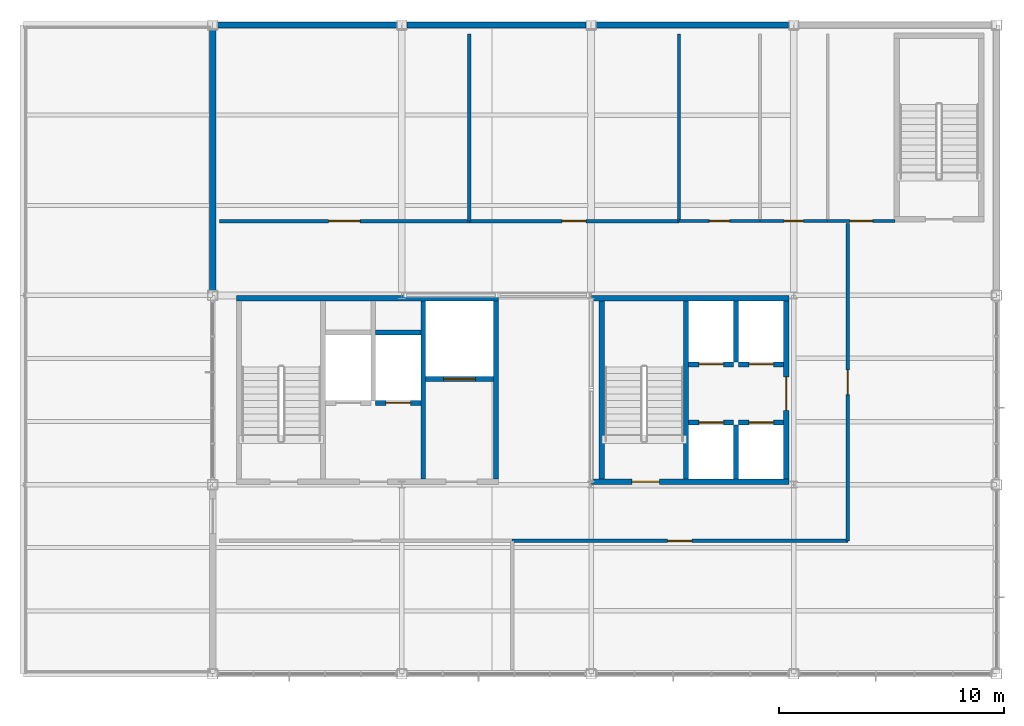
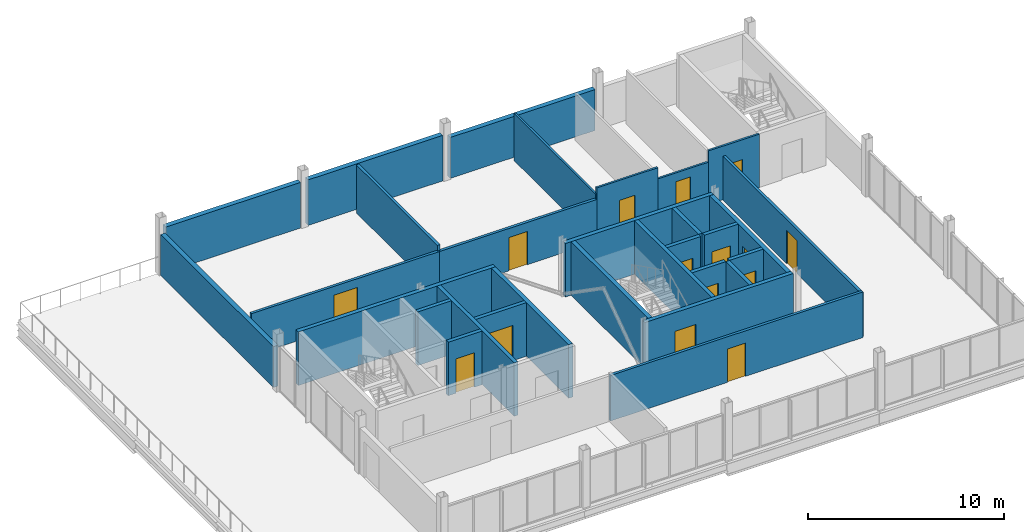
# One storey, part 11 of 14: 30 walls, 15 doors, 15 openings.
"""IFC4 building model written with IfcOpenShell, lengths in metres."""

from ifc_helpers import new_model, si_unit, direction, frame, frame_2d, origin, place, context, subcontext, project, spatial, rectangle, extrude, material, layer, layer_set, type_object, element, fill, save


model = new_model("IFC4")

# Units and contexts
model_context = context("Model", 3, precision=1e-05, world=origin(), true_north=direction((0.0, 1.0)))
body_context = subcontext(model_context, "Body", "Model", "MODEL_VIEW")
ifc_project = project(units=[si_unit("LENGTHUNIT", "METRE"), si_unit("AREAUNIT", "SQUARE_METRE"), si_unit("VOLUMEUNIT", "CUBIC_METRE"), si_unit("PLANEANGLEUNIT", "RADIAN"), si_unit("MASSUNIT", "GRAM", prefix="KILO")], contexts=[model_context])

# Site, building, storey
site_placement = place(None, origin())
site = spatial("IfcSite", under=ifc_project, at=site_placement, CompositionType="ELEMENT")
building_placement = place(site_placement, origin())
building = spatial("IfcBuilding", under=site, at=building_placement, Name="Yukiwa Park Conservatory and Herbarium", CompositionType="ELEMENT")
storey_placement = place(building_placement, frame((0.0, 0.0, 50.39990234375)))
storey = spatial("IfcBuildingStorey", under=building, at=storey_placement, Name="L13", CompositionType="ELEMENT", Elevation=50.39990234375)

# Wall
ifc_material_1 = material(Name="Concrete C40", Category="concrete")
ifc_layer_1 = layer(ifc_material_1, 0.219970703125)
ifc_layer_set_1 = layer_set([ifc_layer_1], Name="Concrete C40")
wall_type_1 = type_object("IfcWallType", Name="WL-CORE-RC220", PredefinedType="SHEAR", material=ifc_layer_set_1)
wall_1_placement = place(storey_placement, frame((142.550048828125, 95.050048828125, 0.0), z_axis=(0.0, 0.0, 1.0), x_axis=(0.0, 1.0, 0.0)))
element("IfcWall", 1, at=wall_1_placement, inside=storey, type_object=wall_type_1, Name="L13 core shear wall 748", PredefinedType="SHEAR", context=body_context, shape_type="SweptSolid", body=[
    extrude(rectangle(XDim=7.89990234375, YDim=0.219970703125, at=frame_2d((3.949951171875, 0.0))), origin(), (0.0, 0.0, 1.0), 3.34619140625),
])

# Wall, opening, door
wall_2_placement = place(storey_placement, frame((140.43994140625, 98.429931640625, 0.0), z_axis=(0.0, 0.0, 1.0), x_axis=(1.0, 0.0, 0.0)))
wall_2 = element("IfcWall", 2, at=wall_2_placement, inside=storey, type_object=wall_type_1, Name="L13 core shear wall 751", PredefinedType="SHEAR", context=body_context, shape_type="SweptSolid", body=[
    extrude(rectangle(XDim=2.0, YDim=0.219970703125, at=frame_2d((1.0, 0.0))), origin(), (0.0, 0.0, 1.0), 3.34619140625),
])
opening_1_placement = place(wall_2_placement, frame((0.449951171875, 0.0, 0.0)))
opening_1 = element("IfcOpeningElement", 3, at=opening_1_placement, cuts=wall_2, Name="Opening LD-01", PredefinedType="OPENING", context=body_context, shape_type="SweptSolid", body=[
    extrude(rectangle(XDim=1.10009765625, YDim=2.14990234375, at=frame_2d((0.550048828125, 1.074951171875))), frame((0.0, 0.1201171875, 0.0), z_axis=(0.0, -1.0, 0.0), x_axis=(1.0, 0.0, 0.0)), (0.0, 0.0, 1.0), 0.239990234375),
])
ifc_material_2 = material(Name="Steel Q235B", Category="steel")
door_type_1 = type_object("IfcDoorType", Name="DR-LIFT-LD1100", OperationType="SLIDING_TO_LEFT", PredefinedType="DOOR", material=ifc_material_2)
door_1_placement = place(opening_1_placement, origin())
door_1 = element("IfcDoor", 4, at=door_1_placement, inside=storey, type_object=door_type_1, Name="L13 Firefighting Lift FL2 sliding landing door", OperationType="SLIDING_TO_LEFT", OverallHeight=2.14990234375, OverallWidth=1.10009765625, PredefinedType="DOOR", context=body_context, shape_type="SweptSolid", body=[
    extrude(rectangle(XDim=1.10009765625, YDim=2.14990234375, at=frame_2d((0.550048828125, 1.074951171875))), frame((0.0, 0.02490234375, 0.0), z_axis=(0.0, -1.0, 0.0), x_axis=(1.0, 0.0, 0.0)), (0.0, 0.0, 1.0), 0.050048828125),
])
fill(opening_1, door_1)

# Wall
wall_3_placement = place(storey_placement, frame((140.43994140625, 101.550048828125, 0.0), z_axis=(0.0, 0.0, 1.0), x_axis=(1.0, 0.0, 0.0)))
element("IfcWall", 5, at=wall_3_placement, inside=storey, type_object=wall_type_1, Name="L13 core shear wall 753", PredefinedType="SHEAR", context=body_context, shape_type="SweptSolid", body=[
    extrude(rectangle(XDim=2.0, YDim=0.219970703125, at=frame_2d((1.0, 0.0))), origin(), (0.0, 0.0, 1.0), 3.34619140625),
])

# Wall, opening, door
wall_4_placement = place(storey_placement, frame((142.659912109375, 99.489990234375, 0.0), z_axis=(0.0, 0.0, 1.0), x_axis=(1.0, 0.0, 0.0)))
wall_4 = element("IfcWall", 6, at=wall_4_placement, inside=storey, type_object=wall_type_1, Name="L13 core shear wall 754", PredefinedType="SHEAR", context=body_context, shape_type="SweptSolid", body=[
    extrude(rectangle(XDim=3.0, YDim=0.219970703125, at=frame_2d((1.5, 0.0))), origin(), (0.0, 0.0, 1.0), 3.34619140625),
])
opening_2_placement = place(wall_4_placement, frame((0.800048828125, 0.0, 0.0)))
opening_2 = element("IfcOpeningElement", 7, at=opening_2_placement, cuts=wall_4, Name="Opening LD-02", PredefinedType="OPENING", context=body_context, shape_type="SweptSolid", body=[
    extrude(rectangle(XDim=1.39990234375, YDim=2.199951171875, at=frame_2d((0.699951171875, 1.10009765625))), frame((0.0, 0.1201171875, 0.0), z_axis=(0.0, -1.0, 0.0), x_axis=(1.0, 0.0, 0.0)), (0.0, 0.0, 1.0), 0.239990234375),
])
ifc_material_3 = material(Name="Steel Q235B", Category="steel")
door_type_2 = type_object("IfcDoorType", Name="DR-LIFT-LD1400", OperationType="SLIDING_TO_LEFT", PredefinedType="DOOR", material=ifc_material_3)
door_2_placement = place(opening_2_placement, origin())
door_2 = element("IfcDoor", 8, at=door_2_placement, inside=storey, type_object=door_type_2, Name="L13 Goods Lift GL1 sliding landing door", OperationType="SLIDING_TO_LEFT", OverallHeight=2.199951171875, OverallWidth=1.39990234375, PredefinedType="DOOR", context=body_context, shape_type="SweptSolid", body=[
    extrude(rectangle(XDim=1.39990234375, YDim=2.199951171875, at=frame_2d((0.699951171875, 1.10009765625))), frame((0.0, 0.02490234375, 0.0), z_axis=(0.0, -1.0, 0.0), x_axis=(1.0, 0.0, 0.0)), (0.0, 0.0, 1.0), 0.050048828125),
])
fill(opening_2, door_2)

# Walls
wall_5_placement = place(storey_placement, frame((154.219970703125, 95.050048828125, 0.0), z_axis=(0.0, 0.0, 1.0), x_axis=(0.0, 1.0, 0.0)))
element("IfcWall", 9, at=wall_5_placement, inside=storey, type_object=wall_type_1, Name="L13 core shear wall 758", PredefinedType="SHEAR", context=body_context, shape_type="SweptSolid", body=[
    extrude(rectangle(XDim=7.89990234375, YDim=0.219970703125, at=frame_2d((3.949951171875, 0.0))), origin(), (0.0, 0.0, 1.0), 3.34619140625),
])
wall_6_placement = place(storey_placement, frame((156.43994140625, 100.25, 0.0), z_axis=(0.0, 0.0, 1.0), x_axis=(0.0, 1.0, 0.0)))
element("IfcWall", 10, at=wall_6_placement, inside=storey, type_object=wall_type_1, Name="L13 core shear wall 760", PredefinedType="SHEAR", context=body_context, shape_type="SweptSolid", body=[
    extrude(rectangle(XDim=2.699951171875, YDim=0.219970703125, at=frame_2d((1.35009765625, 0.0))), origin(), (0.0, 0.0, 1.0), 3.34619140625),
])

# Wall, opening, door
wall_7_placement = place(storey_placement, frame((154.330078125, 100.139892578125, 0.0), z_axis=(0.0, 0.0, 1.0), x_axis=(1.0, 0.0, 0.0)))
wall_7 = element("IfcWall", 11, at=wall_7_placement, inside=storey, type_object=wall_type_1, Name="L13 core shear wall 761", PredefinedType="SHEAR", context=body_context, shape_type="SweptSolid", body=[
    extrude(rectangle(XDim=2.0, YDim=0.219970703125, at=frame_2d((1.0, 0.0))), origin(), (0.0, 0.0, 1.0), 3.34619140625),
])
opening_3_placement = place(wall_7_placement, frame((0.449951171875, 0.0, 0.0)))
opening_3 = element("IfcOpeningElement", 12, at=opening_3_placement, cuts=wall_7, Name="Opening LD-01", PredefinedType="OPENING", context=body_context, shape_type="SweptSolid", body=[
    extrude(rectangle(XDim=1.10009765625, YDim=2.14990234375, at=frame_2d((0.550048828125, 1.074951171875))), frame((0.0, 0.1201171875, 0.0), z_axis=(0.0, -1.0, 0.0), x_axis=(1.0, 0.0, 0.0)), (0.0, 0.0, 1.0), 0.239990234375),
])
door_3_placement = place(opening_3_placement, origin())
door_3 = element("IfcDoor", 13, at=door_3_placement, inside=storey, type_object=door_type_1, Name="L13 Passenger Lift LP1 sliding landing door", OperationType="SLIDING_TO_LEFT", OverallHeight=2.14990234375, OverallWidth=1.10009765625, PredefinedType="DOOR", context=body_context, shape_type="SweptSolid", body=[
    extrude(rectangle(XDim=1.10009765625, YDim=2.14990234375, at=frame_2d((0.550048828125, 1.074951171875))), frame((0.0, 0.02490234375, 0.0), z_axis=(0.0, -1.0, 0.0), x_axis=(1.0, 0.0, 0.0)), (0.0, 0.0, 1.0), 0.050048828125),
])
fill(opening_3, door_3)

wall_8_placement = place(storey_placement, frame((156.550048828125, 100.139892578125, 0.0), z_axis=(0.0, 0.0, 1.0), x_axis=(1.0, 0.0, 0.0)))
wall_8 = element("IfcWall", 14, at=wall_8_placement, inside=storey, type_object=wall_type_1, Name="L13 core shear wall 762", PredefinedType="SHEAR", context=body_context, shape_type="SweptSolid", body=[
    extrude(rectangle(XDim=2.0, YDim=0.219970703125, at=frame_2d((1.0, 0.0))), origin(), (0.0, 0.0, 1.0), 3.34619140625),
])
opening_4_placement = place(wall_8_placement, frame((0.449951171875, 0.0, 0.0)))
opening_4 = element("IfcOpeningElement", 15, at=opening_4_placement, cuts=wall_8, Name="Opening LD-01", PredefinedType="OPENING", context=body_context, shape_type="SweptSolid", body=[
    extrude(rectangle(XDim=1.10009765625, YDim=2.14990234375, at=frame_2d((0.550048828125, 1.074951171875))), frame((0.0, 0.1201171875, 0.0), z_axis=(0.0, -1.0, 0.0), x_axis=(1.0, 0.0, 0.0)), (0.0, 0.0, 1.0), 0.239990234375),
])
door_4_placement = place(opening_4_placement, origin())
door_4 = element("IfcDoor", 16, at=door_4_placement, inside=storey, type_object=door_type_1, Name="L13 Passenger Lift LP2 sliding landing door", OperationType="SLIDING_TO_LEFT", OverallHeight=2.14990234375, OverallWidth=1.10009765625, PredefinedType="DOOR", context=body_context, shape_type="SweptSolid", body=[
    extrude(rectangle(XDim=1.10009765625, YDim=2.14990234375, at=frame_2d((0.550048828125, 1.074951171875))), frame((0.0, 0.02490234375, 0.0), z_axis=(0.0, -1.0, 0.0), x_axis=(1.0, 0.0, 0.0)), (0.0, 0.0, 1.0), 0.050048828125),
])
fill(opening_4, door_4)

# Wall
wall_9_placement = place(storey_placement, frame((156.43994140625, 95.050048828125, 0.0), z_axis=(0.0, 0.0, 1.0), x_axis=(0.0, 1.0, 0.0)))
element("IfcWall", 17, at=wall_9_placement, inside=storey, type_object=wall_type_1, Name="L13 core shear wall 763", PredefinedType="SHEAR", context=body_context, shape_type="SweptSolid", body=[
    extrude(rectangle(XDim=2.39990234375, YDim=0.219970703125, at=frame_2d((1.199951171875, 0.0))), origin(), (0.0, 0.0, 1.0), 3.34619140625),
])

# Wall, opening, door
wall_10_placement = place(storey_placement, frame((154.330078125, 97.56005859375, 0.0), z_axis=(0.0, 0.0, 1.0), x_axis=(1.0, 0.0, 0.0)))
wall_10 = element("IfcWall", 18, at=wall_10_placement, inside=storey, type_object=wall_type_1, Name="L13 core shear wall 764", PredefinedType="SHEAR", context=body_context, shape_type="SweptSolid", body=[
    extrude(rectangle(XDim=2.0, YDim=0.219970703125, at=frame_2d((1.0, 0.0))), origin(), (0.0, 0.0, 1.0), 3.34619140625),
])
opening_5_placement = place(wall_10_placement, frame((0.449951171875, 0.0, 0.0)))
opening_5 = element("IfcOpeningElement", 19, at=opening_5_placement, cuts=wall_10, Name="Opening LD-01", PredefinedType="OPENING", context=body_context, shape_type="SweptSolid", body=[
    extrude(rectangle(XDim=1.10009765625, YDim=2.14990234375, at=frame_2d((0.550048828125, 1.074951171875))), frame((0.0, 0.1201171875, 0.0), z_axis=(0.0, -1.0, 0.0), x_axis=(1.0, 0.0, 0.0)), (0.0, 0.0, 1.0), 0.239990234375),
])
door_5_placement = place(opening_5_placement, origin())
door_5 = element("IfcDoor", 20, at=door_5_placement, inside=storey, type_object=door_type_1, Name="L13 Passenger Lift LP3 sliding landing door", OperationType="SLIDING_TO_LEFT", OverallHeight=2.14990234375, OverallWidth=1.10009765625, PredefinedType="DOOR", context=body_context, shape_type="SweptSolid", body=[
    extrude(rectangle(XDim=1.10009765625, YDim=2.14990234375, at=frame_2d((0.550048828125, 1.074951171875))), frame((0.0, 0.02490234375, 0.0), z_axis=(0.0, -1.0, 0.0), x_axis=(1.0, 0.0, 0.0)), (0.0, 0.0, 1.0), 0.050048828125),
])
fill(opening_5, door_5)

wall_11_placement = place(storey_placement, frame((156.550048828125, 97.56005859375, 0.0), z_axis=(0.0, 0.0, 1.0), x_axis=(1.0, 0.0, 0.0)))
wall_11 = element("IfcWall", 21, at=wall_11_placement, inside=storey, type_object=wall_type_1, Name="L13 core shear wall 765", PredefinedType="SHEAR", context=body_context, shape_type="SweptSolid", body=[
    extrude(rectangle(XDim=2.0, YDim=0.219970703125, at=frame_2d((1.0, 0.0))), origin(), (0.0, 0.0, 1.0), 3.34619140625),
])
opening_6_placement = place(wall_11_placement, frame((0.449951171875, 0.0, 0.0)))
opening_6 = element("IfcOpeningElement", 22, at=opening_6_placement, cuts=wall_11, Name="Opening LD-01", PredefinedType="OPENING", context=body_context, shape_type="SweptSolid", body=[
    extrude(rectangle(XDim=1.10009765625, YDim=2.14990234375, at=frame_2d((0.550048828125, 1.074951171875))), frame((0.0, 0.1201171875, 0.0), z_axis=(0.0, -1.0, 0.0), x_axis=(1.0, 0.0, 0.0)), (0.0, 0.0, 1.0), 0.239990234375),
])
door_6_placement = place(opening_6_placement, origin())
door_6 = element("IfcDoor", 23, at=door_6_placement, inside=storey, type_object=door_type_1, Name="L13 Passenger Lift LP4 sliding landing door", OperationType="SLIDING_TO_LEFT", OverallHeight=2.14990234375, OverallWidth=1.10009765625, PredefinedType="DOOR", context=body_context, shape_type="SweptSolid", body=[
    extrude(rectangle(XDim=1.10009765625, YDim=2.14990234375, at=frame_2d((0.550048828125, 1.074951171875))), frame((0.0, 0.02490234375, 0.0), z_axis=(0.0, -1.0, 0.0), x_axis=(1.0, 0.0, 0.0)), (0.0, 0.0, 1.0), 0.050048828125),
])
fill(opening_6, door_6)

# Walls
ifc_material_4 = material(Name="Concrete C50", Category="concrete")
ifc_layer_2 = layer(ifc_material_4, 0.239990234375)
ifc_layer_set_2 = layer_set([ifc_layer_2], Name="Concrete C50")
wall_type_2 = type_object("IfcWallType", Name="WL-CORE-RC240", PredefinedType="SHEAR", material=ifc_layer_set_2)
wall_12_placement = place(storey_placement, frame((134.25, 103.070068359375, 0.0), z_axis=(0.0, 0.0, 1.0), x_axis=(1.0, 0.0, 0.0)))
element("IfcWall", 24, at=wall_12_placement, inside=storey, type_object=wall_type_2, Name="L13 core shear wall 744", PredefinedType="SHEAR", context=body_context, shape_type="SweptSolid", body=[
    extrude(rectangle(XDim=11.64990234375, YDim=0.239990234375, at=frame_2d((5.824951171875, 0.0))), origin(), (0.0, 0.0, 1.0), 3.34619140625),
])
wall_13_placement = place(storey_placement, frame((145.780029296875, 95.050048828125, 0.0), z_axis=(0.0, 0.0, 1.0), x_axis=(0.0, 1.0, 0.0)))
element("IfcWall", 25, at=wall_13_placement, inside=storey, type_object=wall_type_2, Name="L13 core shear wall 749", PredefinedType="SHEAR", context=body_context, shape_type="SweptSolid", body=[
    extrude(rectangle(XDim=7.89990234375, YDim=0.239990234375, at=frame_2d((3.949951171875, 0.0))), origin(), (0.0, 0.0, 1.0), 3.34619140625),
])

# Wall, opening, door
wall_14_placement = place(storey_placement, frame((150.02001953125, 94.929931640625, 0.0), z_axis=(0.0, 0.0, 1.0), x_axis=(1.0, 0.0, 0.0)))
wall_14 = element("IfcWall", 26, at=wall_14_placement, inside=storey, type_object=wall_type_2, Name="L13 core shear wall 755", PredefinedType="SHEAR", context=body_context, shape_type="SweptSolid", body=[
    extrude(rectangle(XDim=8.77001953125, YDim=0.239990234375, at=frame_2d((4.385009765625, 0.0))), origin(), (0.0, 0.0, 1.0), 3.34619140625),
])
opening_7_placement = place(wall_14_placement, frame((1.7900390625, 0.0, 0.0)))
opening_7 = element("IfcOpeningElement", 27, at=opening_7_placement, cuts=wall_14, Name="Opening SD-01", PredefinedType="OPENING", context=body_context, shape_type="SweptSolid", body=[
    extrude(rectangle(XDim=1.219970703125, YDim=2.179931640625, at=frame_2d((0.60986328125, 1.08984375))), frame((0.0, 0.1298828125, 0.0), z_axis=(0.0, -1.0, 0.0), x_axis=(1.0, 0.0, 0.0)), (0.0, 0.0, 1.0), 0.260009765625),
])
ifc_material_5 = material(Name="Steel Q235B", Category="steel")
door_type_3 = type_object("IfcDoorType", Name="DR-STAIR-FD90-1200", OperationType="SINGLE_SWING_LEFT", PredefinedType="DOOR", material=ifc_material_5)
door_7_placement = place(opening_7_placement, origin())
door_7 = element("IfcDoor", 28, at=door_7_placement, inside=storey, type_object=door_type_3, Name="L13 Stairwell ST-T2 fire door", OperationType="SINGLE_SWING_LEFT", OverallHeight=2.179931640625, OverallWidth=1.219970703125, PredefinedType="DOOR", context=body_context, shape_type="SweptSolid", body=[
    extrude(rectangle(XDim=1.219970703125, YDim=2.179931640625, at=frame_2d((0.60986328125, 1.08984375))), frame((0.0, 0.02490234375, 0.0), z_axis=(0.0, -1.0, 0.0), x_axis=(1.0, 0.0, 0.0)), (0.0, 0.0, 1.0), 0.050048828125),
])
fill(opening_7, door_7)

# Walls
wall_15_placement = place(storey_placement, frame((150.02001953125, 103.070068359375, 0.0), z_axis=(0.0, 0.0, 1.0), x_axis=(1.0, 0.0, 0.0)))
element("IfcWall", 29, at=wall_15_placement, inside=storey, type_object=wall_type_2, Name="L13 core shear wall 756", PredefinedType="SHEAR", context=body_context, shape_type="SweptSolid", body=[
    extrude(rectangle(XDim=8.77001953125, YDim=0.239990234375, at=frame_2d((4.385009765625, 0.0))), origin(), (0.0, 0.0, 1.0), 3.34619140625),
])
wall_16_placement = place(storey_placement, frame((150.47998046875, 95.050048828125, 0.0), z_axis=(0.0, 0.0, 1.0), x_axis=(0.0, 1.0, 0.0)))
element("IfcWall", 30, at=wall_16_placement, inside=storey, type_object=wall_type_2, Name="L13 core shear wall 757", PredefinedType="SHEAR", context=body_context, shape_type="SweptSolid", body=[
    extrude(rectangle(XDim=7.89990234375, YDim=0.239990234375, at=frame_2d((3.949951171875, 0.0))), origin(), (0.0, 0.0, 1.0), 3.34619140625),
])

# Wall, opening, door
wall_17_placement = place(storey_placement, frame((158.669921875, 95.050048828125, 0.0), z_axis=(0.0, 0.0, 1.0), x_axis=(0.0, 1.0, 0.0)))
wall_17 = element("IfcWall", 31, at=wall_17_placement, inside=storey, type_object=wall_type_2, Name="L13 core shear wall 759", PredefinedType="SHEAR", context=body_context, shape_type="SweptSolid", body=[
    extrude(rectangle(XDim=7.89990234375, YDim=0.239990234375, at=frame_2d((3.949951171875, 0.0))), origin(), (0.0, 0.0, 1.0), 3.34619140625),
])
opening_8_placement = place(wall_17_placement, frame((3.050048828125, 0.0, 0.0)))
opening_8 = element("IfcOpeningElement", 32, at=opening_8_placement, cuts=wall_17, Name="Opening FD-07", PredefinedType="OPENING", context=body_context, shape_type="SweptSolid", body=[
    extrude(rectangle(XDim=1.47998046875, YDim=2.219970703125, at=frame_2d((0.739990234375, 1.10986328125))), frame((0.0, 0.1298828125, 0.0), z_axis=(0.0, -1.0, 0.0), x_axis=(1.0, 0.0, 0.0)), (0.0, 0.0, 1.0), 0.260009765625),
])
ifc_material_6 = material(Name="Steel Q235B", Category="steel")
door_type_4 = type_object("IfcDoorType", Name="DR-FIRE-FD60-1500", OperationType="DOUBLE_DOOR_SINGLE_SWING", PredefinedType="DOOR", material=ifc_material_6)
door_8_placement = place(opening_8_placement, origin())
door_8 = element("IfcDoor", 33, at=door_8_placement, inside=storey, type_object=door_type_4, Name="L13 Tower Passenger Lift Lobby double fire door", OperationType="DOUBLE_DOOR_SINGLE_SWING", OverallHeight=2.219970703125, OverallWidth=1.47998046875, PredefinedType="DOOR", context=body_context, shape_type="SweptSolid", body=[
    extrude(rectangle(XDim=1.47998046875, YDim=2.219970703125, at=frame_2d((0.739990234375, 1.10986328125))), frame((0.0, 0.02490234375, 0.0), z_axis=(0.0, -1.0, 0.0), x_axis=(1.0, 0.0, 0.0)), (0.0, 0.0, 1.0), 0.050048828125),
])
fill(opening_8, door_8)

# Walls
ifc_material_7 = material(Name="Pale Granite Cladding", Category="masonry")
ifc_layer_3 = layer(ifc_material_7, 0.280029296875)
ifc_layer_set_3 = layer_set([ifc_layer_3], Name="Pale Granite Cladding")
wall_type_3 = type_object("IfcWallType", Name="WL-EXT-GRAN-280", PredefinedType="SOLIDWALL", material=ifc_layer_set_3)
wall_18_placement = place(storey_placement, frame((158.77490234375, 115.199951171875, 0.0), z_axis=(0.0, 0.0, 1.0), x_axis=(-1.0, 0.0, 0.0)))
element("IfcWall", 34, at=wall_18_placement, inside=storey, type_object=wall_type_3, Name="L13 exterior envelope wall 383", PredefinedType="SOLIDWALL", context=body_context, shape_type="SweptSolid", body=[
    extrude(rectangle(XDim=8.5498046875, YDim=0.280029296875, at=frame_2d((4.27490234375, 0.0))), origin(), (0.0, 0.0, 1.0), 2.55419921875),
])
for number, where, z_axis, x_axis, name in (
    (35, (149.77490234375, 115.199951171875, 0.0), (0.0, 0.0, 1.0), (-1.0, 0.0, 0.0), "L13 exterior envelope wall 384"),
    (36, (141.375, 115.199951171875, 0.0), (0.0, 0.0, 1.0), (-1.0, 0.0, 0.0), "L13 exterior envelope wall 385"),
):
    element("IfcWall", number, at=place(storey_placement, frame(where, z_axis=z_axis, x_axis=x_axis)), inside=storey, type_object=wall_type_3, Name=name, PredefinedType="SOLIDWALL", context=body_context, shape_type="SweptSolid", body=[
        extrude(rectangle(XDim=7.949951171875, YDim=0.280029296875, at=frame_2d((3.97509765625, 0.0))), origin(), (0.0, 0.0, 1.0), 2.84619140625),
    ])
wall_19_placement = place(storey_placement, frame((133.199951171875, 114.97509765625, 0.0), z_axis=(0.0, 0.0, 1.0), x_axis=(0.0, -1.0, 0.0)))
element("IfcWall", 37, at=wall_19_placement, inside=storey, type_object=wall_type_3, Name="L13 exterior envelope wall 386", PredefinedType="SOLIDWALL", context=body_context, shape_type="SweptSolid", body=[
    extrude(rectangle(XDim=11.550048828125, YDim=0.280029296875, at=frame_2d((5.77490234375, 0.0))), origin(), (0.0, 0.0, 1.0), 2.55419921875),
])

# Wall, opening, door
ifc_material_8 = material(Name="Gypsum Board Partition", Category="gypsum")
ifc_layer_4 = layer(ifc_material_8, 0.159912109375)
ifc_layer_set_4 = layer_set([ifc_layer_4], Name="Gypsum Board Partition")
wall_type_4 = type_object("IfcWallType", Name="WL-PART-GYP-160", PredefinedType="PARTITIONING", material=ifc_layer_set_4)
wall_20_placement = place(storey_placement, frame((161.39990234375, 92.300048828125, 0.0), z_axis=(0.0, 0.0, 1.0), x_axis=(0.0, 1.0, 0.0)))
wall_20 = element("IfcWall", 38, at=wall_20_placement, inside=storey, type_object=wall_type_4, Name="L13 interior partition wall 776", PredefinedType="PARTITIONING", context=body_context, shape_type="SweptSolid", body=[
    extrude(rectangle(XDim=14.099853515625, YDim=0.159912109375, at=frame_2d((7.0498046875, 0.0))), origin(), (0.0, 0.0, 1.0), 2.75),
])
opening_9_placement = place(wall_20_placement, frame((6.5, 0.0, 0.0)))
opening_9 = element("IfcOpeningElement", 39, at=opening_9_placement, cuts=wall_20, Name="Opening ID-11", PredefinedType="OPENING", context=body_context, shape_type="SweptSolid", body=[
    extrude(rectangle(XDim=1.080078125, YDim=2.080078125, at=frame_2d((0.5400390625, 1.0400390625))), frame((0.0, 0.08984375, 0.0), z_axis=(0.0, -1.0, 0.0), x_axis=(1.0, 0.0, 0.0)), (0.0, 0.0, 1.0), 0.179931640625),
])
ifc_material_9 = material(Name="Charred Larch Cladding", Category="wood")
door_type_5 = type_object("IfcDoorType", Name="DR-INT-1100", OperationType="SINGLE_SWING_RIGHT", PredefinedType="DOOR", material=ifc_material_9)
door_9_placement = place(opening_9_placement, origin())
door_9 = element("IfcDoor", 40, at=door_9_placement, inside=storey, type_object=door_type_5, Name="L13 L13 east room door", OperationType="SINGLE_SWING_RIGHT", OverallHeight=2.080078125, OverallWidth=1.080078125, PredefinedType="DOOR", context=body_context, shape_type="SweptSolid", body=[
    extrude(rectangle(XDim=1.080078125, YDim=2.080078125, at=frame_2d((0.5400390625, 1.0400390625))), frame((0.0, 0.02490234375, 0.0), z_axis=(0.0, -1.0, 0.0), x_axis=(1.0, 0.0, 0.0)), (0.0, 0.0, 1.0), 0.050048828125),
])
fill(opening_9, door_9)

wall_21_placement = place(storey_placement, frame((146.5, 92.300048828125, 0.0), z_axis=(0.0, 0.0, 1.0), x_axis=(1.0, 0.0, 0.0)))
wall_21 = element("IfcWall", 41, at=wall_21_placement, inside=storey, type_object=wall_type_4, Name="L13 interior partition wall 778", PredefinedType="PARTITIONING", context=body_context, shape_type="SweptSolid", body=[
    extrude(rectangle(XDim=14.89990234375, YDim=0.159912109375, at=frame_2d((7.449951171875, 0.0))), origin(), (0.0, 0.0, 1.0), 2.84619140625),
])
opening_10_placement = place(wall_21_placement, frame((6.89990234375, 0.0, 0.0)))
opening_10 = element("IfcOpeningElement", 42, at=opening_10_placement, cuts=wall_21, Name="Opening ID-11", PredefinedType="OPENING", context=body_context, shape_type="SweptSolid", body=[
    extrude(rectangle(XDim=1.080078125, YDim=2.080078125, at=frame_2d((0.5400390625, 1.0400390625))), frame((0.0, 0.08984375, 0.0), z_axis=(0.0, -1.0, 0.0), x_axis=(1.0, 0.0, 0.0)), (0.0, 0.0, 1.0), 0.179931640625),
])
door_10_placement = place(opening_10_placement, origin())
door_10 = element("IfcDoor", 43, at=door_10_placement, inside=storey, type_object=door_type_5, Name="L13 Seminar Room door", OperationType="SINGLE_SWING_RIGHT", OverallHeight=2.080078125, OverallWidth=1.080078125, PredefinedType="DOOR", context=body_context, shape_type="SweptSolid", body=[
    extrude(rectangle(XDim=1.080078125, YDim=2.080078125, at=frame_2d((0.5400390625, 1.0400390625))), frame((0.0, 0.02490234375, 0.0), z_axis=(0.0, -1.0, 0.0), x_axis=(1.0, 0.0, 0.0)), (0.0, 0.0, 1.0), 0.050048828125),
])
fill(opening_10, door_10)

wall_22_placement = place(storey_placement, frame((133.5, 106.5, 0.0), z_axis=(0.0, 0.0, 1.0), x_axis=(1.0, 0.0, 0.0)))
wall_22 = element("IfcWall", 44, at=wall_22_placement, inside=storey, type_object=wall_type_4, Name="L13 interior partition wall 780", PredefinedType="PARTITIONING", context=body_context, shape_type="SweptSolid", body=[
    extrude(rectangle(XDim=11.10009765625, YDim=0.159912109375, at=frame_2d((5.550048828125, 0.0))), origin(), (0.0, 0.0, 1.0), 2.64599609375),
])
opening_11_placement = place(wall_22_placement, frame((4.85009765625, 0.0, 0.0)))
opening_11 = element("IfcOpeningElement", 45, at=opening_11_placement, cuts=wall_22, Name="Opening GD-14", PredefinedType="OPENING", context=body_context, shape_type="SweptSolid", body=[
    extrude(rectangle(XDim=1.39990234375, YDim=2.10009765625, at=frame_2d((0.699951171875, 1.050048828125))), frame((0.0, 0.08984375, 0.0), z_axis=(0.0, -1.0, 0.0), x_axis=(1.0, 0.0, 0.0)), (0.0, 0.0, 1.0), 0.179931640625),
])
ifc_material_10 = material(Name="Laminated Tempered Safety Glass", Category="glass")
door_type_6 = type_object("IfcDoorType", Name="DR-GLZ-1400", OperationType="DOUBLE_DOOR_SINGLE_SWING", PredefinedType="DOOR", material=ifc_material_10)
door_11_placement = place(opening_11_placement, origin())
door_11 = element("IfcDoor", 46, at=door_11_placement, inside=storey, type_object=door_type_6, Name="L13 Periodicals Library door", OperationType="DOUBLE_DOOR_SINGLE_SWING", OverallHeight=2.10009765625, OverallWidth=1.39990234375, PredefinedType="DOOR", context=body_context, shape_type="SweptSolid", body=[
    extrude(rectangle(XDim=1.39990234375, YDim=2.10009765625, at=frame_2d((0.699951171875, 1.050048828125))), frame((0.0, 0.02490234375, 0.0), z_axis=(0.0, -1.0, 0.0), x_axis=(1.0, 0.0, 0.0)), (0.0, 0.0, 1.0), 0.050048828125),
])
fill(opening_11, door_11)

wall_23_placement = place(storey_placement, frame((144.60009765625, 106.5, 0.0), z_axis=(0.0, 0.0, 1.0), x_axis=(1.0, 0.0, 0.0)))
wall_23 = element("IfcWall", 47, at=wall_23_placement, inside=storey, type_object=wall_type_4, Name="L13 interior partition wall 781", PredefinedType="PARTITIONING", context=body_context, shape_type="SweptSolid", body=[
    extrude(rectangle(XDim=9.2998046875, YDim=0.159912109375, at=frame_2d((4.64990234375, 0.0))), origin(), (0.0, 0.0, 1.0), 2.64599609375),
])
opening_12_placement = place(wall_23_placement, frame((4.10009765625, 0.0, 0.0)))
opening_12 = element("IfcOpeningElement", 48, at=opening_12_placement, cuts=wall_23, Name="Opening ID-11", PredefinedType="OPENING", context=body_context, shape_type="SweptSolid", body=[
    extrude(rectangle(XDim=1.080078125, YDim=2.080078125, at=frame_2d((0.5400390625, 1.0400390625))), frame((0.0, 0.08984375, 0.0), z_axis=(0.0, -1.0, 0.0), x_axis=(1.0, 0.0, 0.0)), (0.0, 0.0, 1.0), 0.179931640625),
])
door_12_placement = place(opening_12_placement, origin())
door_12 = element("IfcDoor", 49, at=door_12_placement, inside=storey, type_object=door_type_5, Name="L13 Directorate Office door", OperationType="SINGLE_SWING_RIGHT", OverallHeight=2.080078125, OverallWidth=1.080078125, PredefinedType="DOOR", context=body_context, shape_type="SweptSolid", body=[
    extrude(rectangle(XDim=1.080078125, YDim=2.080078125, at=frame_2d((0.5400390625, 1.0400390625))), frame((0.0, 0.02490234375, 0.0), z_axis=(0.0, -1.0, 0.0), x_axis=(1.0, 0.0, 0.0)), (0.0, 0.0, 1.0), 0.050048828125),
])
fill(opening_12, door_12)

# Wall
wall_24_placement = place(storey_placement, frame((144.60009765625, 106.5, 0.0), z_axis=(0.0, 0.0, 1.0), x_axis=(0.0, 1.0, 0.0)))
element("IfcWall", 50, at=wall_24_placement, inside=storey, type_object=wall_type_4, Name="L13 interior partition wall 782", PredefinedType="PARTITIONING", context=body_context, shape_type="SweptSolid", body=[
    extrude(rectangle(XDim=8.300048828125, YDim=0.159912109375, at=frame_2d((4.14990234375, 0.0))), origin(), (0.0, 0.0, 1.0), 3.0),
])

# Wall, opening, door
ifc_material_11 = material(Name="Gypsum Board Partition", Category="gypsum")
ifc_layer_5 = layer(ifc_material_11, 0.1201171875)
ifc_layer_set_5 = layer_set([ifc_layer_5], Name="Gypsum Board Partition")
wall_type_5 = type_object("IfcWallType", Name="WL-PART-WET-150", PredefinedType="PARTITIONING", material=ifc_layer_set_5)
wall_25_placement = place(storey_placement, frame((153.89990234375, 106.5, 0.0), z_axis=(0.0, 0.0, 1.0), x_axis=(1.0, 0.0, 0.0)))
wall_25 = element("IfcWall", 51, at=wall_25_placement, inside=storey, type_object=wall_type_5, Name="L13 interior partition wall 770", PredefinedType="PARTITIONING", context=body_context, shape_type="SweptSolid", body=[
    extrude(rectangle(XDim=3.60009765625, YDim=0.1201171875, at=frame_2d((1.800048828125, 0.0))), origin(), (0.0, 0.0, 1.0), 3.34619140625),
])
opening_13_placement = place(wall_25_placement, frame((1.35009765625, 0.0, 0.0)))
opening_13 = element("IfcOpeningElement", 52, at=opening_13_placement, cuts=wall_25, Name="Opening ID-09", PredefinedType="OPENING", context=body_context, shape_type="SweptSolid", body=[
    extrude(rectangle(XDim=0.89990234375, YDim=2.10009765625, at=frame_2d((0.449951171875, 1.050048828125))), frame((0.0, 0.070068359375, 0.0), z_axis=(0.0, -1.0, 0.0), x_axis=(1.0, 0.0, 0.0)), (0.0, 0.0, 1.0), 0.14013671875),
])
ifc_material_12 = material(Name="Charred Larch Cladding", Category="wood")
door_type_7 = type_object("IfcDoorType", Name="DR-INT-900", OperationType="SINGLE_SWING_LEFT", PredefinedType="DOOR", material=ifc_material_12)
door_13_placement = place(opening_13_placement, origin())
door_13 = element("IfcDoor", 53, at=door_13_placement, inside=storey, type_object=door_type_7, Name="L13 Public WC door", OperationType="SINGLE_SWING_LEFT", OverallHeight=2.10009765625, OverallWidth=0.89990234375, PredefinedType="DOOR", context=body_context, shape_type="SweptSolid", body=[
    extrude(rectangle(XDim=0.89990234375, YDim=2.10009765625, at=frame_2d((0.449951171875, 1.050048828125))), frame((0.0, 0.02490234375, 0.0), z_axis=(0.0, -1.0, 0.0), x_axis=(1.0, 0.0, 0.0)), (0.0, 0.0, 1.0), 0.050048828125),
])
fill(opening_13, door_13)

wall_26_placement = place(storey_placement, frame((157.5, 106.5, 0.0), z_axis=(0.0, 0.0, 1.0), x_axis=(1.0, 0.0, 0.0)))
wall_26 = element("IfcWall", 54, at=wall_26_placement, inside=storey, type_object=wall_type_5, Name="L13 interior partition wall 771", PredefinedType="PARTITIONING", context=body_context, shape_type="SweptSolid", body=[
    extrude(rectangle(XDim=3.0, YDim=0.1201171875, at=frame_2d((1.5, 0.0))), origin(), (0.0, 0.0, 1.0), 2.64599609375),
])
opening_14_placement = place(wall_26_placement, frame((1.074951171875, 0.0, 0.0)))
opening_14 = element("IfcOpeningElement", 55, at=opening_14_placement, cuts=wall_26, Name="Opening ID-85", PredefinedType="OPENING", context=body_context, shape_type="SweptSolid", body=[
    extrude(rectangle(XDim=0.85009765625, YDim=2.10009765625, at=frame_2d((0.425048828125, 1.050048828125))), frame((0.0, 0.070068359375, 0.0), z_axis=(0.0, -1.0, 0.0), x_axis=(1.0, 0.0, 0.0)), (0.0, 0.0, 1.0), 0.14013671875),
])
ifc_material_13 = material(Name="Charred Larch Cladding", Category="wood")
door_type_8 = type_object("IfcDoorType", Name="DR-INT-850", OperationType="SINGLE_SWING_RIGHT", PredefinedType="DOOR", material=ifc_material_13)
door_14_placement = place(opening_14_placement, origin())
door_14 = element("IfcDoor", 56, at=door_14_placement, inside=storey, type_object=door_type_8, Name="L13 Staff WC door", OperationType="SINGLE_SWING_RIGHT", OverallHeight=2.10009765625, OverallWidth=0.85009765625, PredefinedType="DOOR", context=body_context, shape_type="SweptSolid", body=[
    extrude(rectangle(XDim=0.85009765625, YDim=2.10009765625, at=frame_2d((0.425048828125, 1.050048828125))), frame((0.0, 0.02490234375, 0.0), z_axis=(0.0, -1.0, 0.0), x_axis=(1.0, 0.0, 0.0)), (0.0, 0.0, 1.0), 0.050048828125),
])
fill(opening_14, door_14)

wall_27_placement = place(storey_placement, frame((160.5, 106.5, 0.0), z_axis=(0.0, 0.0, 1.0), x_axis=(1.0, 0.0, 0.0)))
wall_27 = element("IfcWall", 57, at=wall_27_placement, inside=storey, type_object=wall_type_5, Name="L13 interior partition wall 772", PredefinedType="PARTITIONING", context=body_context, shape_type="SweptSolid", body=[
    extrude(rectangle(XDim=3.0, YDim=0.1201171875, at=frame_2d((1.5, 0.0))), origin(), (0.0, 0.0, 1.0), 3.34619140625),
])
opening_15_placement = place(wall_27_placement, frame((1.0, 0.0, 0.0)))
opening_15 = element("IfcOpeningElement", 58, at=opening_15_placement, cuts=wall_27, Name="Opening ID-10", PredefinedType="OPENING", context=body_context, shape_type="SweptSolid", body=[
    extrude(rectangle(XDim=1.0, YDim=2.10009765625, at=frame_2d((0.5, 1.050048828125))), frame((0.0, 0.070068359375, 0.0), z_axis=(0.0, -1.0, 0.0), x_axis=(1.0, 0.0, 0.0)), (0.0, 0.0, 1.0), 0.14013671875),
])
ifc_material_14 = material(Name="Charred Larch Cladding", Category="wood")
door_type_9 = type_object("IfcDoorType", Name="DR-ACC-1000", OperationType="SINGLE_SWING_LEFT", PredefinedType="DOOR", material=ifc_material_14)
door_15_placement = place(opening_15_placement, origin())
door_15 = element("IfcDoor", 59, at=door_15_placement, inside=storey, type_object=door_type_9, Name="L13 Accessible WC door", OperationType="SINGLE_SWING_LEFT", OverallHeight=2.10009765625, OverallWidth=1.0, PredefinedType="DOOR", context=body_context, shape_type="SweptSolid", body=[
    extrude(rectangle(XDim=1.0, YDim=2.10009765625, at=frame_2d((0.5, 1.050048828125))), frame((0.0, 0.02490234375, 0.0), z_axis=(0.0, -1.0, 0.0), x_axis=(1.0, 0.0, 0.0)), (0.0, 0.0, 1.0), 0.050048828125),
])
fill(opening_15, door_15)

# Wall
wall_28_placement = place(storey_placement, frame((153.89990234375, 106.5, 0.0), z_axis=(0.0, 0.0, 1.0), x_axis=(0.0, 1.0, 0.0)))
element("IfcWall", 60, at=wall_28_placement, inside=storey, type_object=wall_type_5, Name="L13 interior partition wall 773", PredefinedType="PARTITIONING", context=body_context, shape_type="SweptSolid", body=[
    extrude(rectangle(XDim=8.300048828125, YDim=0.1201171875, at=frame_2d((4.14990234375, 0.0))), origin(), (0.0, 0.0, 1.0), 2.9501953125),
])

save(model, "model.ifc")
